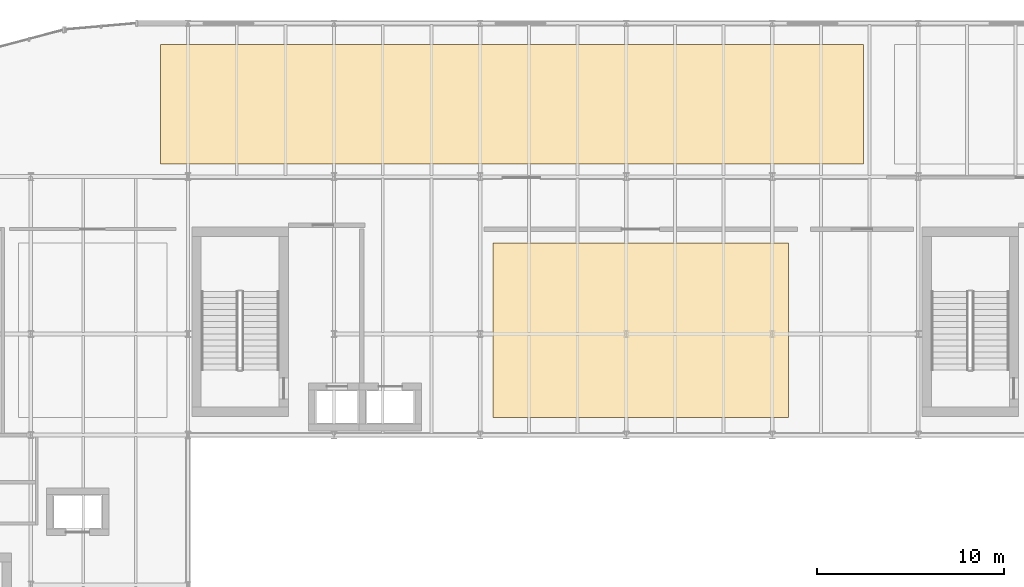
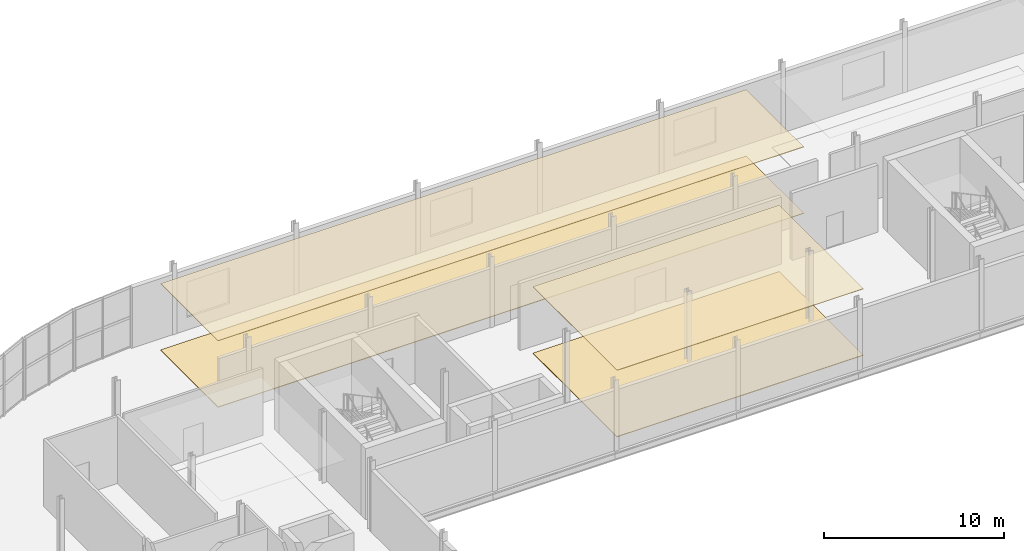
# One storey, part 14 of 15: 4 coverings.
"""IFC4 building model written with IfcOpenShell, lengths in metres."""

from ifc_helpers import new_model, si_unit, direction, frame, origin, place, context, subcontext, project, spatial, polyline, outline, extrude, material, layer, layer_set, type_object, element, save


model = new_model("IFC4")

# Units and contexts
model_context = context("Model", 3, precision=1e-05, world=origin(), true_north=direction((0.0, 1.0)))
body_context = subcontext(model_context, "Body", "Model", "MODEL_VIEW")
ifc_project = project(units=[si_unit("LENGTHUNIT", "METRE"), si_unit("AREAUNIT", "SQUARE_METRE"), si_unit("VOLUMEUNIT", "CUBIC_METRE"), si_unit("PLANEANGLEUNIT", "RADIAN"), si_unit("MASSUNIT", "GRAM", prefix="KILO")], contexts=[model_context])

# Site, building, storey
site_placement = place(None, origin())
site = spatial("IfcSite", under=ifc_project, at=site_placement, CompositionType="ELEMENT")
building_placement = place(site_placement, origin())
building = spatial("IfcBuilding", under=site, at=building_placement, Name="Sefraquen Railside Congress Hotel", CompositionType="ELEMENT")
storey_placement = place(building_placement, frame((0.0, 0.0, 46.800048828125)))
storey = spatial("IfcBuildingStorey", under=building, at=storey_placement, Name="L11", CompositionType="ELEMENT", Elevation=46.800048828125)

# Coverings
ifc_material_1 = material(Name="Acoustic mineral and carved plaster ceiling", Category="gypsum")
ifc_layer_1 = layer(ifc_material_1, 0.0400390625)
ifc_layer_set_1 = layer_set([ifc_layer_1], Name="Acoustic mineral and carved plaster ceiling")
covering_type_1 = type_object("IfcCoveringType", Name="TCV-CEIL-01", PredefinedType="CEILING", material=ifc_layer_set_1)
covering_1_placement = place(storey_placement, frame((0.0, 0.0, 4.5)))
element("IfcCovering", 1, at=covering_1_placement, inside=storey, type_object=covering_type_1, Name="Panoramic Specialty Restaurant acoustic ceiling finish", PredefinedType="CEILING", context=body_context, shape_type="SweptSolid", body=[
    extrude(outline(polyline([(23.72998046875, 110.47998046875), (61.27001953125, 110.47998046875), (61.27001953125, 116.8701171875), (23.72998046875, 116.8701171875), (23.72998046875, 110.47998046875)])), origin(), (0.0, 0.0, 1.0), 0.0400390625),
])
covering_2_placement = place(storey_placement, frame((0.0, 0.0, 4.5)))
element("IfcCovering", 2, at=covering_2_placement, inside=storey, type_object=covering_type_1, Name="Crown Restaurant Culinary Kitchen acoustic ceiling finish", PredefinedType="CEILING", context=body_context, shape_type="SweptSolid", body=[
    extrude(outline(polyline([(41.47998046875, 96.929931640625), (57.27001953125, 96.929931640625), (57.27001953125, 106.27001953125), (41.47998046875, 106.27001953125), (41.47998046875, 96.929931640625)])), origin(), (0.0, 0.0, 1.0), 0.0400390625),
])
ifc_material_2 = material(Name="Moroccan zellige ceramic and honed stone flooring", Category="masonry")
ifc_layer_2 = layer(ifc_material_2, 0.0400390625)
ifc_layer_set_2 = layer_set([ifc_layer_2], Name="Moroccan zellige ceramic and honed stone flooring")
covering_type_2 = type_object("IfcCoveringType", Name="TCV-FLR-01", PredefinedType="FLOORING", material=ifc_layer_set_2)
covering_3_placement = place(storey_placement, origin())
element("IfcCovering", 3, at=covering_3_placement, inside=storey, type_object=covering_type_2, Name="Panoramic Specialty Restaurant architectural floor finish", PredefinedType="FLOORING", context=body_context, shape_type="SweptSolid", body=[
    extrude(outline(polyline([(23.72998046875, 110.47998046875), (61.27001953125, 110.47998046875), (61.27001953125, 116.8701171875), (23.72998046875, 116.8701171875), (23.72998046875, 110.47998046875)])), origin(), (0.0, 0.0, 1.0), 0.0400390625),
])
covering_4_placement = place(storey_placement, origin())
element("IfcCovering", 4, at=covering_4_placement, inside=storey, type_object=covering_type_2, Name="Crown Restaurant Culinary Kitchen architectural floor finish", PredefinedType="FLOORING", context=body_context, shape_type="SweptSolid", body=[
    extrude(outline(polyline([(41.47998046875, 96.929931640625), (57.27001953125, 96.929931640625), (57.27001953125, 106.27001953125), (41.47998046875, 106.27001953125), (41.47998046875, 96.929931640625)])), origin(), (0.0, 0.0, 1.0), 0.0400390625),
])

save(model, "model.ifc")
